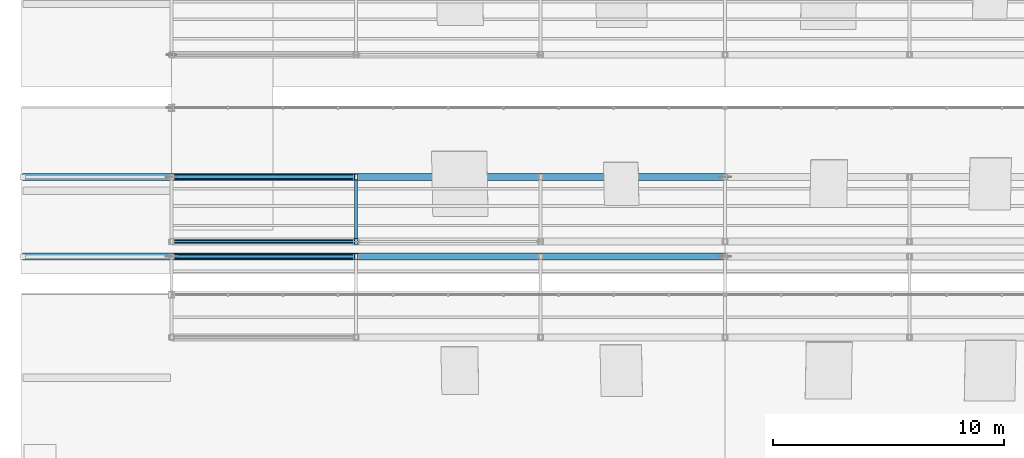
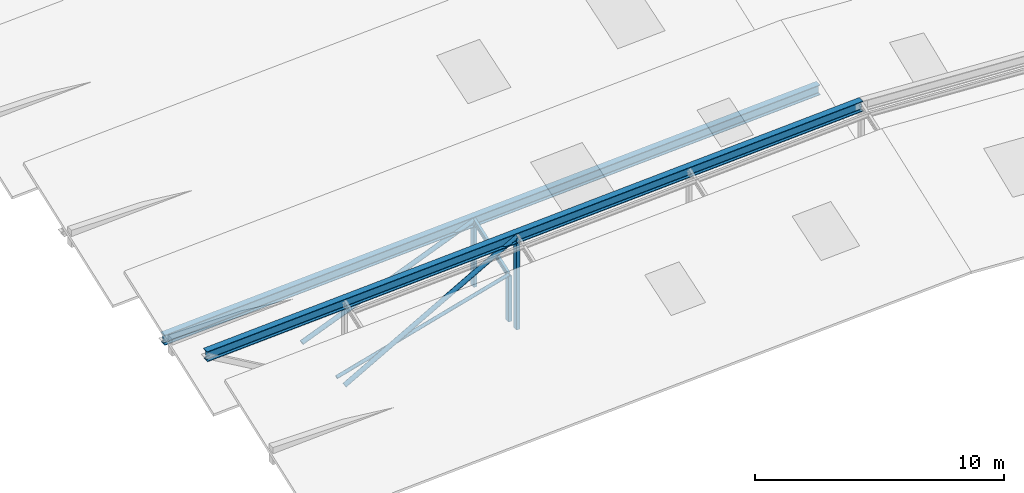
# One storey, part 3 of 141: 9 members.
"""IFC4 building model written with IfcOpenShell, lengths in metres."""

import ifcopenshell
import ifcopenshell.guid

model = None  # the IFC model being written
_history = None  # IfcOwnerHistory: only IFC2X3 demands one
_inside = {}  # id of a spatial element -> (the spatial element, [elements in it])
_under = {}  # id of a project, library or spatial element -> (it, [spatial elements below it])
_declared = {}  # id of a project -> (the project, [libraries it declares])
_typed = {}  # id of a type object -> (the type object, [elements of that type])
_made_of = {}  # id of a material, layer set ... -> (it, [elements and type objects made of it])


def new_model(schema):
    """Start an empty IFC model of exactly this schema.

    Asked for "IFC4X3", IfcOpenShell would pick the latest addendum, in which some entities
    have other attributes; the version numbers below select the first issue.
    IFC2X3 requires an IfcOwnerHistory on every rooted entity: one is made here for all.
    """
    global model, _history
    if schema == "IFC4X3":
        model = ifcopenshell.file(schema_version=(4, 3, 0, 0))
    else:
        model = ifcopenshell.file(schema=schema)
    _inside.clear()
    _under.clear()
    _declared.clear()
    _typed.clear()
    _made_of.clear()
    _history = None
    if model.schema == "IFC2X3":
        org = make("IfcOrganization", Name="unknown")
        user = make(
            "IfcPersonAndOrganization",
            ThePerson=make("IfcPerson", FamilyName="unknown"),
            TheOrganization=org,
        )
        app = make(
            "IfcApplication",
            ApplicationDeveloper=org,
            Version="unknown",
            ApplicationFullName="unknown",
            ApplicationIdentifier="unknown",
        )
        _history = make(
            "IfcOwnerHistory",
            OwningUser=user,
            OwningApplication=app,
            ChangeAction="ADDED",
            CreationDate=0,
        )
    return model


def make(cls, **values):
    """One entity of the class cls with the attributes given. An attribute that is None is left unset."""
    return model.create_entity(
        cls, **{name: value for name, value in values.items() if value is not None}
    )


def rooted(cls, **values):
    """An entity with a GlobalId (a new one), such as an element, a storey or a relation."""
    return make(cls, GlobalId=ifcopenshell.guid.new(), OwnerHistory=_history, **values)


def si_unit(unit_type, name, prefix=None):
    """IfcSIUnit, for example si_unit("LENGTHUNIT", "METRE", prefix="MILLI")."""
    return make("IfcSIUnit", UnitType=unit_type, Prefix=prefix, Name=name)


def assignment(units):
    """IfcUnitAssignment: the units of a project."""
    return None if units is None else make("IfcUnitAssignment", Units=units)


def point(xyz):
    """IfcCartesianPoint."""
    return None if xyz is None else make("IfcCartesianPoint", Coordinates=xyz)


def direction(xyz):
    """IfcDirection."""
    return None if xyz is None else make("IfcDirection", DirectionRatios=xyz)


def frame(location, z_axis=None, x_axis=None):
    """IfcAxis2Placement3D, a coordinate frame: its origin and axes. An axis left out is left unset."""
    return make(
        "IfcAxis2Placement3D",
        Location=point(location),
        Axis=direction(z_axis),
        RefDirection=direction(x_axis),
    )


def frame_2d(location, x_axis=None):
    """IfcAxis2Placement2D, a coordinate frame in the plane: its origin and x axis."""
    return make(
        "IfcAxis2Placement2D", Location=point(location), RefDirection=direction(x_axis)
    )


def origin():
    """The frame at (0, 0, 0) with its axes left unset."""
    return frame((0.0, 0.0, 0.0))


def origin_2d():
    """The frame at (0, 0) in the plane with its x axis left unset."""
    return frame_2d((0.0, 0.0))


def place(relative_to, where):
    """IfcLocalPlacement: puts the frame where relative to a parent placement (None: the world)."""
    return make(
        "IfcLocalPlacement", PlacementRelTo=relative_to, RelativePlacement=where
    )


def context(
    kind, dimensions, precision=None, world=None, true_north=None, identifier=None
):
    """IfcGeometricRepresentationContext, for example the 3D "Model" context."""
    return make(
        "IfcGeometricRepresentationContext",
        ContextIdentifier=identifier,
        ContextType=kind,
        CoordinateSpaceDimension=dimensions,
        Precision=precision,
        WorldCoordinateSystem=world,
        TrueNorth=true_north,
    )


def subcontext(parent, identifier, kind, view, scale=None):
    """IfcGeometricRepresentationSubContext, for example "Body" below "Model"."""
    return make(
        "IfcGeometricRepresentationSubContext",
        ContextIdentifier=identifier,
        ContextType=kind,
        ParentContext=parent,
        TargetScale=scale,
        TargetView=view,
    )


def project(units=None, contexts=None):
    """IfcProject with its units and contexts."""
    return rooted(
        "IfcProject",
        Name="project",
        RepresentationContexts=contexts,
        UnitsInContext=assignment(units),
    )


def spatial(cls, under=None, at=None, **own):
    """A site, building, storey or space (cls), placed at a placement, below another one or the project."""
    s = rooted(cls, ObjectPlacement=at, **own)
    if under is not None:
        _under.setdefault(under.id(), (under, []))[1].append(s)
    return s


def profile(cls, at=None, kind="AREA", **sizes):
    """A parametric profile (cls). Its sizes go by their IFC names, for example OverallWidth=200.0."""
    return make(cls, ProfileType=kind, Position=at, **sizes)


def hollow_rectangle(**sizes):
    """IfcRectangleHollowProfileDef."""
    return profile("IfcRectangleHollowProfileDef", **sizes)


def hollow_circle(**sizes):
    """IfcCircleHollowProfileDef."""
    return profile("IfcCircleHollowProfileDef", **sizes)


def i_section(**sizes):
    """IfcIShapeProfileDef."""
    return profile("IfcIShapeProfileDef", **sizes)


def extrude(swept, where, along, depth):
    """IfcExtrudedAreaSolid: the profile swept, set in the frame where, extruded along a direction by depth."""
    return make(
        "IfcExtrudedAreaSolid",
        SweptArea=swept,
        Position=where,
        ExtrudedDirection=direction(along),
        Depth=depth,
    )


def shape(context_of_items, identifier, shape_type, items):
    """IfcShapeRepresentation: the items that make up one representation, for example the "Body"."""
    return make(
        "IfcShapeRepresentation",
        ContextOfItems=context_of_items,
        RepresentationIdentifier=identifier,
        RepresentationType=shape_type,
        Items=items,
    )


def material(Name=None, Category=None):
    """IfcMaterial."""
    return make("IfcMaterial", Name=Name, Category=Category)


def material_profile(
    of_material, cross_section, Name=None, Category=None, Priority=None
):
    """IfcMaterialProfile: a cross section and its material."""
    return make(
        "IfcMaterialProfile",
        Name=Name,
        Material=of_material,
        Profile=cross_section,
        Priority=Priority,
        Category=Category,
    )


def profile_set(profiles, Name=None, composite=None):
    """IfcMaterialProfileSet."""
    return make(
        "IfcMaterialProfileSet",
        Name=Name,
        MaterialProfiles=profiles,
        CompositeProfile=composite,
    )


def made_of(thing, what):
    """Note that an element or type object is made of a material, layer set ...; save() writes the relation."""
    if what is not None:
        _made_of.setdefault(what.id(), (what, []))[1].append(thing)
    return thing


def type_object(cls, material=None, **own):
    """A type object (cls), such as IfcWallType, which elements share."""
    return made_of(rooted(cls, **own), material)


def element(
    cls,
    number,
    at=None,
    inside=None,
    cuts=None,
    type_object=None,
    material=None,
    context=None,
    identifier="Body",
    shape_type=None,
    held_by="IfcProductDefinitionShape",
    body=None,
    shapes=None,
    **own,
):
    """One element of the class cls, such as IfcWall. Its Tag is "e" and its number.

    at: its placement. inside: the storey or other place that contains it. cuts: it is an
    opening in that element (IfcRelVoidsElement). A single representation is given by context,
    identifier, shape_type and body (its items); several are given by shapes. held_by: the class
    of the entity that holds the representations. save() writes the other relations.
    """
    e = rooted(cls, Tag="e%d" % number, ObjectPlacement=at, **own)
    if body is not None:
        shapes = [shape(context, identifier, shape_type, body)]
    if shapes is not None:
        e.Representation = make(held_by, Representations=shapes)
    if inside is not None:
        _inside.setdefault(inside.id(), (inside, []))[1].append(e)
    if cuts is not None:
        rooted(
            "IfcRelVoidsElement", RelatingBuildingElement=cuts, RelatedOpeningElement=e
        )
    if type_object is not None:
        _typed.setdefault(type_object.id(), (type_object, []))[1].append(e)
    return made_of(e, material)


def aggregate(whole, parts):
    """IfcRelAggregates: a whole, such as a stair, and the parts it consists of."""
    return rooted("IfcRelAggregates", RelatingObject=whole, RelatedObjects=parts)


def save(model, path):
    """Write the relations noted so far, then the file.

    IfcRelAggregates (storeys below a building ...), IfcRelContainedInSpatialStructure (elements
    in a storey), IfcRelDefinesByType, IfcRelAssociatesMaterial and IfcRelDeclares: one each for
    every whole, place, type object, material and project.
    """
    for whole, parts in _under.values():
        aggregate(whole, parts)
    for where, things in _inside.values():
        rooted(
            "IfcRelContainedInSpatialStructure",
            RelatedElements=things,
            RelatingStructure=where,
        )
    for kind, things in _typed.values():
        rooted("IfcRelDefinesByType", RelatedObjects=things, RelatingType=kind)
    for what, things in _made_of.values():
        rooted("IfcRelAssociatesMaterial", RelatedObjects=things, RelatingMaterial=what)
    for by, libraries in _declared.values():
        rooted("IfcRelDeclares", RelatingContext=by, RelatedDefinitions=libraries)
    model.write(path)


model = new_model("IFC4")

# Units and contexts
model_context = context("Model", 3, precision=1e-05, world=origin(), true_north=direction((0.0, 1.0)))
body_context = subcontext(model_context, "Body", "Model", "MODEL_VIEW")
ifc_project = project(units=[si_unit("LENGTHUNIT", "METRE"), si_unit("AREAUNIT", "SQUARE_METRE"), si_unit("VOLUMEUNIT", "CUBIC_METRE"), si_unit("PLANEANGLEUNIT", "RADIAN"), si_unit("MASSUNIT", "GRAM", prefix="KILO")], contexts=[model_context])

# Site, building, storey
site_placement = place(None, origin())
site = spatial("IfcSite", under=ifc_project, at=site_placement, CompositionType="ELEMENT")
building_placement = place(site_placement, origin())
building = spatial("IfcBuilding", under=site, at=building_placement, Name="Sundkrona Museum", CompositionType="ELEMENT")
storey_placement = place(building_placement, frame((0.0, 0.0, 34.0)))
storey = spatial("IfcBuildingStorey", under=building, at=storey_placement, Name="RF", CompositionType="ELEMENT", Elevation=34.0)

# Members
ifc_material = material(Name="Steel S355J2", Category="steel")
ifc_material_profile_1 = material_profile(ifc_material, i_section(OverallWidth=0.1201171875, OverallDepth=0.239990234375, WebThickness=0.006103515625, FlangeThickness=0.009765625, FilletRadius=0.014892578125, at=origin_2d()), Name="IPE 240")
ifc_profile_set_1 = profile_set([ifc_material_profile_1], Name="Steel S355J2")
member_type_1 = type_object("IfcMemberType", Name="PR-IPE240", PredefinedType="PURLIN", material=ifc_profile_set_1)
member_1_placement = place(storey_placement, frame((128.0, 4.5, 1.98974609375), z_axis=(0.0, 0.942754878846, 0.333486489099), x_axis=(-1.0, 0.0, 0.0)))
element("IfcMember", 1, at=member_1_placement, inside=storey, type_object=member_type_1, Name="RFS-1 Sawtooth Bay 2 Transverse Rafter 2", PredefinedType="PURLIN", context=body_context, shape_type="SweptSolid", body=[
    extrude(i_section(OverallWidth=0.1201171875, OverallDepth=0.239990234375, WebThickness=0.006103515625, FlangeThickness=0.009765625, FilletRadius=0.014892578125, at=origin_2d()), origin(), (0.0, 0.0, 1.0), 2.969970703125),
])
ifc_material_profile_2 = material_profile(ifc_material, hollow_circle(Radius=0.084228515625, WallThickness=0.008056640625, at=origin_2d()), Name="CHS 168.3x8.0")
ifc_profile_set_2 = profile_set([ifc_material_profile_2], Name="Steel S355J2")
member_type_2 = type_object("IfcMemberType", Name="ST-CHS168", PredefinedType="STRUT", material=ifc_profile_set_2)
member_2_placement = place(storey_placement, frame((120.0, 4.5, -0.25), z_axis=(0.962971954814, 0.0, 0.269601584273), x_axis=(0.0, 1.0, 0.0)))
element("IfcMember", 2, at=member_2_placement, inside=storey, type_object=member_type_2, Name="RFS-1 Sawtooth Valley Truss 2 Web Strut 1", PredefinedType="STRUT", context=body_context, shape_type="SweptSolid", body=[
    extrude(hollow_circle(Radius=0.084228515625, WallThickness=0.008056640625, at=origin_2d()), origin(), (0.0, 0.0, 1.0), 8.3076171875),
])
ifc_material_profile_3 = material_profile(ifc_material, hollow_circle(Radius=0.109619140625, WallThickness=0.010009765625, at=origin_2d()), Name="CHS 219.1x10.0")
ifc_profile_set_3 = profile_set([ifc_material_profile_3], Name="Steel S355J2")
member_type_3 = type_object("IfcMemberType", Name="ST-CHS219", PredefinedType="STRUT", material=ifc_profile_set_3)
member_3_placement = place(storey_placement, frame((120.0, 3.85009765625, -0.25), z_axis=(0.87056333353, 0.0, 0.492056381235), x_axis=(0.0, 1.0, 0.0)))
element("IfcMember", 3, at=member_3_placement, inside=storey, type_object=member_type_3, Name="RFS-1 Sawtooth Truss 1 Web Strut 1", PredefinedType="STRUT", context=body_context, shape_type="SweptSolid", body=[
    extrude(hollow_circle(Radius=0.109619140625, WallThickness=0.010009765625, at=origin_2d()), origin(), (0.0, 0.0, 1.0), 9.189453125),
])
member_4_placement = place(storey_placement, frame((120.0, 7.300048828125, -0.25), z_axis=(0.927263753977, 0.0, 0.374408774685), x_axis=(0.0, 1.0, 0.0)))
element("IfcMember", 4, at=member_4_placement, inside=storey, type_object=member_type_3, Name="RFS-1 Sawtooth Truss 2 Web Strut 1", PredefinedType="STRUT", context=body_context, shape_type="SweptSolid", body=[
    extrude(hollow_circle(Radius=0.109619140625, WallThickness=0.010009765625, at=origin_2d()), origin(), (0.0, 0.0, 1.0), 8.62744140625),
])
ifc_material_profile_4 = material_profile(ifc_material, hollow_rectangle(XDim=0.14990234375, YDim=0.25, WallThickness=0.010009765625, at=origin_2d()), Name="RHS 250x150x10.0")
ifc_profile_set_4 = profile_set([ifc_material_profile_4], Name="Steel S355J2")
member_type_4 = type_object("IfcMemberType", Name="ST-RHS250", PredefinedType="STRUT", material=ifc_profile_set_4)
member_5_placement = place(storey_placement, frame((128.0, 3.85009765625, -0.25), z_axis=(0.0, 0.0, 1.0), x_axis=(1.0, 0.0, 0.0)))
element("IfcMember", 5, at=member_5_placement, inside=storey, type_object=member_type_4, Name="RFS-1 Sawtooth Truss 1 Vertical Post 2", PredefinedType="STRUT", context=body_context, shape_type="SweptSolid", body=[
    extrude(hollow_rectangle(XDim=0.14990234375, YDim=0.25, WallThickness=0.010009765625, at=origin_2d()), origin(), (0.0, 0.0, 1.0), 4.521728515625),
])
member_6_placement = place(storey_placement, frame((128.0, 7.300048828125, -0.25), z_axis=(0.0, 0.0, 1.0), x_axis=(1.0, 0.0, 0.0)))
element("IfcMember", 6, at=member_6_placement, inside=storey, type_object=member_type_4, Name="RFS-1 Sawtooth Truss 2 Vertical Post 2", PredefinedType="STRUT", context=body_context, shape_type="SweptSolid", body=[
    extrude(hollow_rectangle(XDim=0.14990234375, YDim=0.25, WallThickness=0.010009765625, at=origin_2d()), origin(), (0.0, 0.0, 1.0), 3.230224609375),
])
member_7_placement = place(storey_placement, frame((128.0, 4.5, -0.25), z_axis=(0.0, 0.0, 1.0), x_axis=(1.0, 0.0, 0.0)))
element("IfcMember", 7, at=member_7_placement, inside=storey, type_object=member_type_4, Name="RFS-1 Sawtooth Bay 2 Valley Post 2", PredefinedType="STRUT", context=body_context, shape_type="SweptSolid", body=[
    extrude(hollow_rectangle(XDim=0.14990234375, YDim=0.25, WallThickness=0.010009765625, at=origin_2d()), origin(), (0.0, 0.0, 1.0), 2.23974609375),
])
ifc_material_profile_5 = material_profile(ifc_material, i_section(OverallWidth=0.300048828125, OverallDepth=0.5, WebThickness=0.014404296875, FlangeThickness=0.028076171875, FilletRadius=0.027099609375, at=origin_2d()), Name="HEB 500")
ifc_profile_set_5 = profile_set([ifc_material_profile_5], Name="Steel S355J2")
member_type_5 = type_object("IfcMemberType", Name="TC-HEB500", PredefinedType="CHORD", material=ifc_profile_set_5)
for number, where, z_axis, x_axis, name in (
    (8, (113.550048828125, 3.85009765625, 3.489990234375), (0.998540021616, 0.0, 0.054016897652), (0.0, 1.0, 0.0), "RFS-1 Sawtooth Truss 1 West Sloped Top Chord"),
    (9, (113.550048828125, 7.300048828125, 2.198486328125), (0.998540021616, 0.0, 0.054016897652), (0.0, 1.0, 0.0), "RFS-1 Sawtooth Truss 2 West Sloped Top Chord"),
):
    element("IfcMember", number, at=place(storey_placement, frame(where, z_axis=z_axis, x_axis=x_axis)), inside=storey, type_object=member_type_5, Name=name, PredefinedType="CHORD", context=body_context, shape_type="SweptSolid", body=[
        extrude(i_section(OverallWidth=0.300048828125, OverallDepth=0.5, WebThickness=0.014404296875, FlangeThickness=0.028076171875, FilletRadius=0.027099609375, at=origin_2d()), origin(), (0.0, 0.0, 1.0), 30.494384765625),
    ])

save(model, "model.ifc")
